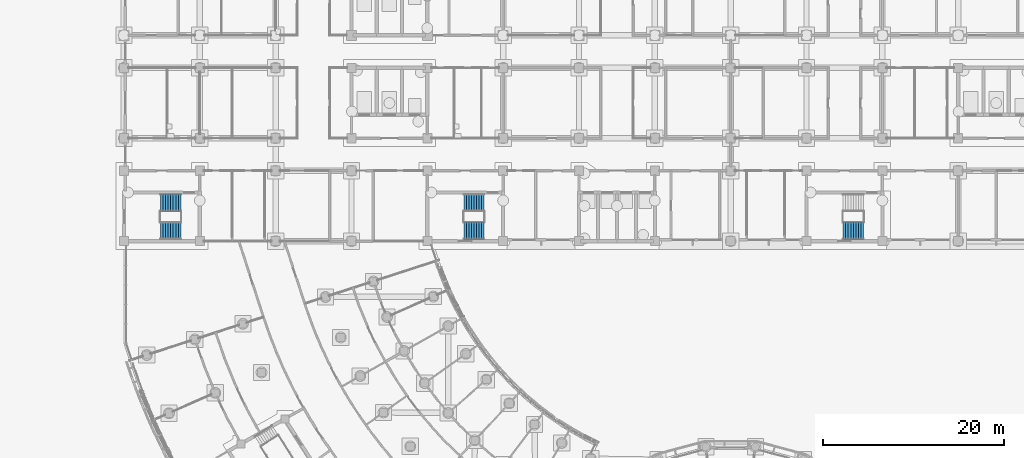
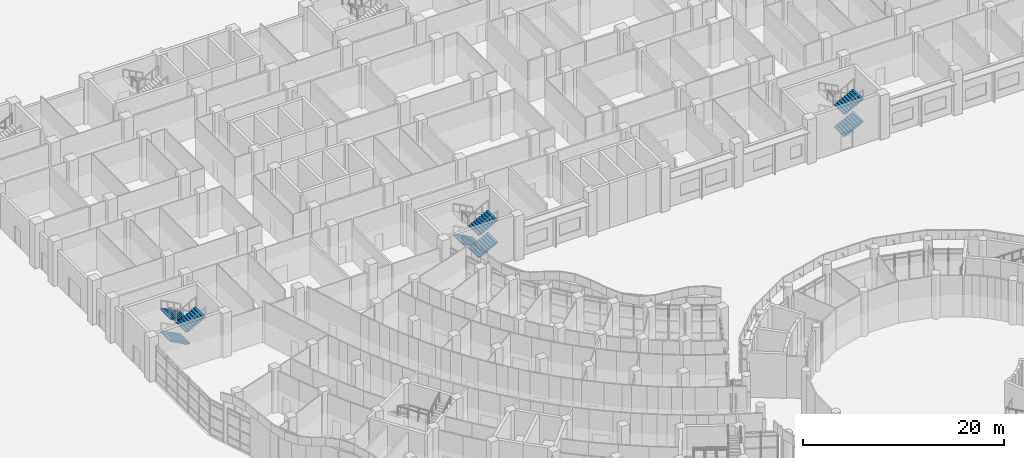
# One storey, part 97 of 146: 8 stair flights, 3 elements without a shape of their own.
"""IFC4 building model written with IfcOpenShell, lengths in metres."""

from ifc_helpers import new_model, si_unit, direction, frame, origin, place, context, subcontext, project, spatial, polyline, outline, extrude, material, type_object, element, aggregate, save


model = new_model("IFC4")

# Units and contexts
model_context = context("Model", 3, precision=1e-05, world=origin(), true_north=direction((0.0, 1.0)))
body_context = subcontext(model_context, "Body", "Model", "MODEL_VIEW")
ifc_project = project(units=[si_unit("LENGTHUNIT", "METRE"), si_unit("AREAUNIT", "SQUARE_METRE"), si_unit("VOLUMEUNIT", "CUBIC_METRE"), si_unit("PLANEANGLEUNIT", "RADIAN"), si_unit("MASSUNIT", "GRAM", prefix="KILO")], contexts=[model_context])

# Site, building, storey
site_placement = place(None, origin())
site = spatial("IfcSite", under=ifc_project, at=site_placement, CompositionType="ELEMENT")
building_placement = place(site_placement, origin())
building = spatial("IfcBuilding", under=site, at=building_placement, Name="Bougainvillea Quay General Hospital", CompositionType="ELEMENT")
storey_placement = place(building_placement, origin())
storey = spatial("IfcBuildingStorey", under=building, at=storey_placement, Name="L00", CompositionType="ELEMENT", Elevation=0.0)

# Stair, stair flights
ifc_material = material(Name="Concrete C35", Category="concrete")
stair_type = type_object("IfcStairType", Name="Stair half-turn 1925 wide", PredefinedType="HALF_TURN_STAIR", material=ifc_material)
stair_1_placement = place(storey_placement, origin())
stair_1 = element("IfcStair", 1, at=stair_1_placement, inside=storey, type_object=stair_type, Name="L00 stair ST-B1", PredefinedType="HALF_TURN_STAIR")
stair_flight_type = type_object("IfcStairFlightType", Name="Stair flight 1925", PredefinedType="STRAIGHT", material=ifc_material)
stair_flight_1_placement = place(storey_placement, frame((48.300048828125, 121.862548828125, 0.0), z_axis=(0.0, 0.0, 1.0), x_axis=(-1.0, 0.0, 0.0)))
stair_flight_1 = element("IfcStairFlight", 2, at=stair_flight_1_placement, type_object=stair_flight_type, Name="ST-B1 flight 1", NumberOfRisers=9, NumberOfTreads=8, PredefinedType="STRAIGHT", RiserHeight=0.15, TreadLength=0.28, context=body_context, shape_type="SweptSolid", body=[
    extrude(outline(polyline([(-0.0029296875, 0.0), (-0.0029296875, 0.003662109375), (-0.0029296875, 0.00732421875), (-0.0029296875, 0.010986328125), (-0.0029296875, 0.0146484375), (-0.0029296875, 0.018310546875), (-0.0029296875, 0.02197265625), (-0.0029296875, 0.025634765625), (-0.0029296875, 0.029296875), (-0.0029296875, 0.032958984375), (-0.0029296875, 0.03662109375), (-0.0029296875, 0.040283203125), (-0.0029296875, 0.0439453125), (-0.0029296875, 0.047607421875), (-0.0029296875, 0.05126953125), (-0.0029296875, 0.054931640625), (-0.0029296875, 0.05859375), (-0.0029296875, 0.062255859375), (-0.0029296875, 0.06591796875), (-0.0029296875, 0.069580078125), (-0.0029296875, 0.0732421875), (-0.0029296875, 0.076904296875), (-0.0029296875, 0.08056640625), (-0.0029296875, 0.084228515625), (-0.0029296875, 0.087890625), (-0.0029296875, 0.091552734375), (-0.0029296875, 0.09521484375), (-0.0029296875, 0.098876953125), (-0.0029296875, 0.1025390625), (-0.0029296875, 0.106201171875), (-0.0029296875, 0.10986328125), (-0.0029296875, 0.113525390625), (-0.0029296875, 0.1171875), (-0.0029296875, 0.120849609375), (-0.0029296875, 0.12451171875), (-0.0029296875, 0.1279296875), (-0.0029296875, 0.131591796875), (-0.0029296875, 0.13525390625), (-0.0029296875, 0.138916015625), (-0.0029296875, 0.142578125), (-0.0029296875, 0.146240234375), (-0.0029296875, 0.14990234375), (0.280029296875, 0.14990234375), (0.280029296875, 0.300048828125), (0.56005859375, 0.300048828125), (0.56005859375, 0.449951171875), (0.840087890625, 0.449951171875), (0.840087890625, 0.60009765625), (1.1201171875, 0.60009765625), (1.1201171875, 0.75), (1.39990234375, 0.75), (1.39990234375, 0.89990234375), (1.679931640625, 0.89990234375), (1.679931640625, 1.050048828125), (1.9599609375, 1.050048828125), (1.9599609375, 1.199951171875), (2.242919921875, 1.199951171875), (2.242919921875, 1.19580078125), (2.242919921875, 1.191650390625), (2.242919921875, 1.1875), (2.242919921875, 1.183349609375), (2.242919921875, 1.17919921875), (2.242919921875, 1.175048828125), (2.242919921875, 1.1708984375), (2.242919921875, 1.166748046875), (2.242919921875, 1.16259765625), (2.242919921875, 1.158447265625), (2.242919921875, 1.154296875), (2.242919921875, 1.150146484375), (2.242919921875, 1.14599609375), (2.242919921875, 1.141845703125), (2.242919921875, 1.1376953125), (2.242919921875, 1.133544921875), (2.242919921875, 1.12939453125), (2.242919921875, 1.125244140625), (2.242919921875, 1.12109375), (2.242919921875, 1.116943359375), (2.242919921875, 1.11279296875), (2.242919921875, 1.108642578125), (2.242919921875, 1.1044921875), (2.242919921875, 1.100341796875), (2.242919921875, 1.09619140625), (2.242919921875, 1.092041015625), (2.242919921875, 1.087890625), (2.242919921875, 1.083984375), (2.242919921875, 1.079833984375), (2.242919921875, 1.07568359375), (2.242919921875, 1.071533203125), (2.242919921875, 1.0673828125), (2.242919921875, 1.063232421875), (2.242919921875, 1.05908203125), (2.242919921875, 1.054931640625), (2.242919921875, 1.05078125), (2.242919921875, 1.046630859375), (2.242919921875, 1.04248046875), (2.242919921875, 1.038330078125), (2.242919921875, 1.0341796875), (2.242919921875, 1.030029296875), (0.3173828125, 0.0), (-0.0029296875, 0.0)])), frame((0.0, 0.96240234375, 0.0), z_axis=(0.0, -1.0, 0.0), x_axis=(1.0, 0.0, 0.0)), (0.0, 0.0, 1.0), 1.925048828125),
])
stair_flight_2_placement = place(storey_placement, frame((48.300048828125, 121.862548828125, 2.699951171875), z_axis=(0.0, 0.0, 1.0), x_axis=(-1.0, 0.0, 0.0)))
stair_flight_2 = element("IfcStairFlight", 3, at=stair_flight_2_placement, type_object=stair_flight_type, Name="ST-B1 flight 3", NumberOfRisers=9, NumberOfTreads=8, PredefinedType="STRAIGHT", RiserHeight=0.15, TreadLength=0.28, context=body_context, shape_type="SweptSolid", body=[
    extrude(outline(polyline([(-0.0029296875, 0.0), (-0.0029296875, 0.003662109375), (-0.0029296875, 0.00732421875), (-0.0029296875, 0.010986328125), (-0.0029296875, 0.0146484375), (-0.0029296875, 0.018310546875), (-0.0029296875, 0.02197265625), (-0.0029296875, 0.025634765625), (-0.0029296875, 0.029296875), (-0.0029296875, 0.032958984375), (-0.0029296875, 0.03662109375), (-0.0029296875, 0.040283203125), (-0.0029296875, 0.0439453125), (-0.0029296875, 0.047607421875), (-0.0029296875, 0.05126953125), (-0.0029296875, 0.054931640625), (-0.0029296875, 0.05859375), (-0.0029296875, 0.062255859375), (-0.0029296875, 0.06591796875), (-0.0029296875, 0.069580078125), (-0.0029296875, 0.0732421875), (-0.0029296875, 0.076904296875), (-0.0029296875, 0.08056640625), (-0.0029296875, 0.084228515625), (-0.0029296875, 0.087890625), (-0.0029296875, 0.091552734375), (-0.0029296875, 0.09521484375), (-0.0029296875, 0.098876953125), (-0.0029296875, 0.1025390625), (-0.0029296875, 0.106201171875), (-0.0029296875, 0.10986328125), (-0.0029296875, 0.113525390625), (-0.0029296875, 0.1171875), (-0.0029296875, 0.120849609375), (-0.0029296875, 0.12451171875), (-0.0029296875, 0.1279296875), (-0.0029296875, 0.131591796875), (-0.0029296875, 0.13525390625), (-0.0029296875, 0.138916015625), (-0.0029296875, 0.142578125), (-0.0029296875, 0.146240234375), (-0.0029296875, 0.14990234375), (0.280029296875, 0.14990234375), (0.280029296875, 0.300048828125), (0.56005859375, 0.300048828125), (0.56005859375, 0.449951171875), (0.840087890625, 0.449951171875), (0.840087890625, 0.60009765625), (1.1201171875, 0.60009765625), (1.1201171875, 0.75), (1.39990234375, 0.75), (1.39990234375, 0.89990234375), (1.679931640625, 0.89990234375), (1.679931640625, 1.050048828125), (1.9599609375, 1.050048828125), (1.9599609375, 1.199951171875), (2.242919921875, 1.199951171875), (2.242919921875, 1.19580078125), (2.242919921875, 1.191650390625), (2.242919921875, 1.1875), (2.242919921875, 1.183349609375), (2.242919921875, 1.17919921875), (2.242919921875, 1.175048828125), (2.242919921875, 1.1708984375), (2.242919921875, 1.166748046875), (2.242919921875, 1.16259765625), (2.242919921875, 1.158447265625), (2.242919921875, 1.154296875), (2.242919921875, 1.150146484375), (2.242919921875, 1.14599609375), (2.242919921875, 1.141845703125), (2.242919921875, 1.1376953125), (2.242919921875, 1.133544921875), (2.242919921875, 1.12939453125), (2.242919921875, 1.125244140625), (2.242919921875, 1.12109375), (2.242919921875, 1.116943359375), (2.242919921875, 1.11279296875), (2.242919921875, 1.108642578125), (2.242919921875, 1.1044921875), (2.242919921875, 1.100341796875), (2.242919921875, 1.09619140625), (2.242919921875, 1.092041015625), (2.242919921875, 1.087890625), (2.242919921875, 1.083984375), (2.242919921875, 1.079833984375), (2.242919921875, 1.07568359375), (2.242919921875, 1.071533203125), (2.242919921875, 1.0673828125), (2.242919921875, 1.063232421875), (2.242919921875, 1.05908203125), (2.242919921875, 1.054931640625), (2.242919921875, 1.05078125), (2.242919921875, 1.046630859375), (2.242919921875, 1.04248046875), (2.242919921875, 1.038330078125), (2.242919921875, 1.0341796875), (2.242919921875, 1.030029296875), (0.3173828125, 0.0), (-0.0029296875, 0.0)])), frame((0.0, 0.96240234375, 0.0), z_axis=(0.0, -1.0, 0.0), x_axis=(1.0, 0.0, 0.0)), (0.0, 0.0, 1.0), 1.925048828125),
])
stair_flight_3_placement = place(storey_placement, frame((46.06005859375, 118.737548828125, 4.050048828125), z_axis=(0.0, 0.0, 1.0), x_axis=(1.0, 0.0, 0.0)))
stair_flight_3 = element("IfcStairFlight", 4, at=stair_flight_3_placement, type_object=stair_flight_type, Name="ST-B1 flight 4", NumberOfRisers=9, NumberOfTreads=8, PredefinedType="STRAIGHT", RiserHeight=0.15, TreadLength=0.28, context=body_context, shape_type="SweptSolid", body=[
    extrude(outline(polyline([(-0.0029296875, 0.0), (-0.0029296875, 0.003662109375), (-0.0029296875, 0.00732421875), (-0.0029296875, 0.010986328125), (-0.0029296875, 0.0146484375), (-0.0029296875, 0.018310546875), (-0.0029296875, 0.02197265625), (-0.0029296875, 0.025634765625), (-0.0029296875, 0.029296875), (-0.0029296875, 0.032958984375), (-0.0029296875, 0.03662109375), (-0.0029296875, 0.040283203125), (-0.0029296875, 0.0439453125), (-0.0029296875, 0.047607421875), (-0.0029296875, 0.05126953125), (-0.0029296875, 0.054931640625), (-0.0029296875, 0.05859375), (-0.0029296875, 0.062255859375), (-0.0029296875, 0.06591796875), (-0.0029296875, 0.069580078125), (-0.0029296875, 0.0732421875), (-0.0029296875, 0.076904296875), (-0.0029296875, 0.08056640625), (-0.0029296875, 0.084228515625), (-0.0029296875, 0.087890625), (-0.0029296875, 0.091552734375), (-0.0029296875, 0.09521484375), (-0.0029296875, 0.098876953125), (-0.0029296875, 0.1025390625), (-0.0029296875, 0.106201171875), (-0.0029296875, 0.10986328125), (-0.0029296875, 0.113525390625), (-0.0029296875, 0.1171875), (-0.0029296875, 0.120849609375), (-0.0029296875, 0.12451171875), (-0.0029296875, 0.1279296875), (-0.0029296875, 0.131591796875), (-0.0029296875, 0.13525390625), (-0.0029296875, 0.138916015625), (-0.0029296875, 0.142578125), (-0.0029296875, 0.146240234375), (-0.0029296875, 0.14990234375), (0.280029296875, 0.14990234375), (0.280029296875, 0.300048828125), (0.56005859375, 0.300048828125), (0.56005859375, 0.449951171875), (0.840087890625, 0.449951171875), (0.840087890625, 0.60009765625), (1.1201171875, 0.60009765625), (1.1201171875, 0.75), (1.39990234375, 0.75), (1.39990234375, 0.89990234375), (1.679931640625, 0.89990234375), (1.679931640625, 1.050048828125), (1.9599609375, 1.050048828125), (1.9599609375, 1.199951171875), (2.242919921875, 1.199951171875), (2.242919921875, 1.19580078125), (2.242919921875, 1.191650390625), (2.242919921875, 1.1875), (2.242919921875, 1.183349609375), (2.242919921875, 1.17919921875), (2.242919921875, 1.175048828125), (2.242919921875, 1.1708984375), (2.242919921875, 1.166748046875), (2.242919921875, 1.16259765625), (2.242919921875, 1.158447265625), (2.242919921875, 1.154296875), (2.242919921875, 1.150146484375), (2.242919921875, 1.14599609375), (2.242919921875, 1.141845703125), (2.242919921875, 1.1376953125), (2.242919921875, 1.133544921875), (2.242919921875, 1.12939453125), (2.242919921875, 1.125244140625), (2.242919921875, 1.12109375), (2.242919921875, 1.116943359375), (2.242919921875, 1.11279296875), (2.242919921875, 1.108642578125), (2.242919921875, 1.1044921875), (2.242919921875, 1.100341796875), (2.242919921875, 1.09619140625), (2.242919921875, 1.092041015625), (2.242919921875, 1.087890625), (2.242919921875, 1.083984375), (2.242919921875, 1.079833984375), (2.242919921875, 1.07568359375), (2.242919921875, 1.071533203125), (2.242919921875, 1.0673828125), (2.242919921875, 1.063232421875), (2.242919921875, 1.05908203125), (2.242919921875, 1.054931640625), (2.242919921875, 1.05078125), (2.242919921875, 1.046630859375), (2.242919921875, 1.04248046875), (2.242919921875, 1.038330078125), (2.242919921875, 1.0341796875), (2.242919921875, 1.030029296875), (0.3173828125, 0.0), (-0.0029296875, 0.0)])), frame((0.0, 0.96240234375, 0.0), z_axis=(0.0, -1.0, 0.0), x_axis=(1.0, 0.0, 0.0)), (0.0, 0.0, 1.0), 1.925048828125),
])
aggregate(stair_1, [stair_flight_1, stair_flight_2, stair_flight_3])

stair_2_placement = place(storey_placement, origin())
stair_2 = element("IfcStair", 5, at=stair_2_placement, inside=storey, type_object=stair_type, Name="L00 stair ST-B2", PredefinedType="HALF_TURN_STAIR")
stair_flight_4_placement = place(storey_placement, frame((81.89990234375, 121.862548828125, 0.0), z_axis=(0.0, 0.0, 1.0), x_axis=(-1.0, 0.0, 0.0)))
stair_flight_4 = element("IfcStairFlight", 6, at=stair_flight_4_placement, type_object=stair_flight_type, Name="ST-B2 flight 1", NumberOfRisers=9, NumberOfTreads=8, PredefinedType="STRAIGHT", RiserHeight=0.15, TreadLength=0.28, context=body_context, shape_type="SweptSolid", body=[
    extrude(outline(polyline([(-0.0029296875, 0.0), (-0.0029296875, 0.003662109375), (-0.0029296875, 0.00732421875), (-0.0029296875, 0.010986328125), (-0.0029296875, 0.0146484375), (-0.0029296875, 0.018310546875), (-0.0029296875, 0.02197265625), (-0.0029296875, 0.025634765625), (-0.0029296875, 0.029296875), (-0.0029296875, 0.032958984375), (-0.0029296875, 0.03662109375), (-0.0029296875, 0.040283203125), (-0.0029296875, 0.0439453125), (-0.0029296875, 0.047607421875), (-0.0029296875, 0.05126953125), (-0.0029296875, 0.054931640625), (-0.0029296875, 0.05859375), (-0.0029296875, 0.062255859375), (-0.0029296875, 0.06591796875), (-0.0029296875, 0.069580078125), (-0.0029296875, 0.0732421875), (-0.0029296875, 0.076904296875), (-0.0029296875, 0.08056640625), (-0.0029296875, 0.084228515625), (-0.0029296875, 0.087890625), (-0.0029296875, 0.091552734375), (-0.0029296875, 0.09521484375), (-0.0029296875, 0.098876953125), (-0.0029296875, 0.1025390625), (-0.0029296875, 0.106201171875), (-0.0029296875, 0.10986328125), (-0.0029296875, 0.113525390625), (-0.0029296875, 0.1171875), (-0.0029296875, 0.120849609375), (-0.0029296875, 0.12451171875), (-0.0029296875, 0.1279296875), (-0.0029296875, 0.131591796875), (-0.0029296875, 0.13525390625), (-0.0029296875, 0.138916015625), (-0.0029296875, 0.142578125), (-0.0029296875, 0.146240234375), (-0.0029296875, 0.14990234375), (0.280029296875, 0.14990234375), (0.280029296875, 0.300048828125), (0.56005859375, 0.300048828125), (0.56005859375, 0.449951171875), (0.840087890625, 0.449951171875), (0.840087890625, 0.60009765625), (1.1201171875, 0.60009765625), (1.1201171875, 0.75), (1.39990234375, 0.75), (1.39990234375, 0.89990234375), (1.679931640625, 0.89990234375), (1.679931640625, 1.050048828125), (1.9599609375, 1.050048828125), (1.9599609375, 1.199951171875), (2.242919921875, 1.199951171875), (2.242919921875, 1.19580078125), (2.242919921875, 1.191650390625), (2.242919921875, 1.1875), (2.242919921875, 1.183349609375), (2.242919921875, 1.17919921875), (2.242919921875, 1.175048828125), (2.242919921875, 1.1708984375), (2.242919921875, 1.166748046875), (2.242919921875, 1.16259765625), (2.242919921875, 1.158447265625), (2.242919921875, 1.154296875), (2.242919921875, 1.150146484375), (2.242919921875, 1.14599609375), (2.242919921875, 1.141845703125), (2.242919921875, 1.1376953125), (2.242919921875, 1.133544921875), (2.242919921875, 1.12939453125), (2.242919921875, 1.125244140625), (2.242919921875, 1.12109375), (2.242919921875, 1.116943359375), (2.242919921875, 1.11279296875), (2.242919921875, 1.108642578125), (2.242919921875, 1.1044921875), (2.242919921875, 1.100341796875), (2.242919921875, 1.09619140625), (2.242919921875, 1.092041015625), (2.242919921875, 1.087890625), (2.242919921875, 1.083984375), (2.242919921875, 1.079833984375), (2.242919921875, 1.07568359375), (2.242919921875, 1.071533203125), (2.242919921875, 1.0673828125), (2.242919921875, 1.063232421875), (2.242919921875, 1.05908203125), (2.242919921875, 1.054931640625), (2.242919921875, 1.05078125), (2.242919921875, 1.046630859375), (2.242919921875, 1.04248046875), (2.242919921875, 1.038330078125), (2.242919921875, 1.0341796875), (2.242919921875, 1.030029296875), (0.3173828125, 0.0), (-0.0029296875, 0.0)])), frame((0.0, 0.96240234375, 0.0), z_axis=(0.0, -1.0, 0.0), x_axis=(1.0, 0.0, 0.0)), (0.0, 0.0, 1.0), 1.925048828125),
])
stair_flight_5_placement = place(storey_placement, frame((79.659912109375, 118.737548828125, 1.35009765625), z_axis=(0.0, 0.0, 1.0), x_axis=(1.0, 0.0, 0.0)))
stair_flight_5 = element("IfcStairFlight", 7, at=stair_flight_5_placement, type_object=stair_flight_type, Name="ST-B2 flight 2", NumberOfRisers=9, NumberOfTreads=8, PredefinedType="STRAIGHT", RiserHeight=0.15, TreadLength=0.28, context=body_context, shape_type="SweptSolid", body=[
    extrude(outline(polyline([(-0.0029296875, 0.0), (-0.0029296875, 0.003662109375), (-0.0029296875, 0.00732421875), (-0.0029296875, 0.010986328125), (-0.0029296875, 0.0146484375), (-0.0029296875, 0.018310546875), (-0.0029296875, 0.02197265625), (-0.0029296875, 0.025634765625), (-0.0029296875, 0.029296875), (-0.0029296875, 0.032958984375), (-0.0029296875, 0.03662109375), (-0.0029296875, 0.040283203125), (-0.0029296875, 0.0439453125), (-0.0029296875, 0.047607421875), (-0.0029296875, 0.05126953125), (-0.0029296875, 0.054931640625), (-0.0029296875, 0.05859375), (-0.0029296875, 0.062255859375), (-0.0029296875, 0.06591796875), (-0.0029296875, 0.069580078125), (-0.0029296875, 0.0732421875), (-0.0029296875, 0.076904296875), (-0.0029296875, 0.08056640625), (-0.0029296875, 0.084228515625), (-0.0029296875, 0.087890625), (-0.0029296875, 0.091552734375), (-0.0029296875, 0.09521484375), (-0.0029296875, 0.098876953125), (-0.0029296875, 0.1025390625), (-0.0029296875, 0.106201171875), (-0.0029296875, 0.10986328125), (-0.0029296875, 0.113525390625), (-0.0029296875, 0.1171875), (-0.0029296875, 0.120849609375), (-0.0029296875, 0.12451171875), (-0.0029296875, 0.1279296875), (-0.0029296875, 0.131591796875), (-0.0029296875, 0.13525390625), (-0.0029296875, 0.138916015625), (-0.0029296875, 0.142578125), (-0.0029296875, 0.146240234375), (-0.0029296875, 0.14990234375), (0.280029296875, 0.14990234375), (0.280029296875, 0.300048828125), (0.56005859375, 0.300048828125), (0.56005859375, 0.449951171875), (0.840087890625, 0.449951171875), (0.840087890625, 0.60009765625), (1.1201171875, 0.60009765625), (1.1201171875, 0.75), (1.39990234375, 0.75), (1.39990234375, 0.89990234375), (1.679931640625, 0.89990234375), (1.679931640625, 1.050048828125), (1.9599609375, 1.050048828125), (1.9599609375, 1.199951171875), (2.242919921875, 1.199951171875), (2.242919921875, 1.19580078125), (2.242919921875, 1.191650390625), (2.242919921875, 1.1875), (2.242919921875, 1.183349609375), (2.242919921875, 1.17919921875), (2.242919921875, 1.175048828125), (2.242919921875, 1.1708984375), (2.242919921875, 1.166748046875), (2.242919921875, 1.16259765625), (2.242919921875, 1.158447265625), (2.242919921875, 1.154296875), (2.242919921875, 1.150146484375), (2.242919921875, 1.14599609375), (2.242919921875, 1.141845703125), (2.242919921875, 1.1376953125), (2.242919921875, 1.133544921875), (2.242919921875, 1.12939453125), (2.242919921875, 1.125244140625), (2.242919921875, 1.12109375), (2.242919921875, 1.116943359375), (2.242919921875, 1.11279296875), (2.242919921875, 1.108642578125), (2.242919921875, 1.1044921875), (2.242919921875, 1.100341796875), (2.242919921875, 1.09619140625), (2.242919921875, 1.092041015625), (2.242919921875, 1.087890625), (2.242919921875, 1.083984375), (2.242919921875, 1.079833984375), (2.242919921875, 1.07568359375), (2.242919921875, 1.071533203125), (2.242919921875, 1.0673828125), (2.242919921875, 1.063232421875), (2.242919921875, 1.05908203125), (2.242919921875, 1.054931640625), (2.242919921875, 1.05078125), (2.242919921875, 1.046630859375), (2.242919921875, 1.04248046875), (2.242919921875, 1.038330078125), (2.242919921875, 1.0341796875), (2.242919921875, 1.030029296875), (0.3173828125, 0.0), (-0.0029296875, 0.0)])), frame((0.0, 0.96240234375, 0.0), z_axis=(0.0, -1.0, 0.0), x_axis=(1.0, 0.0, 0.0)), (0.0, 0.0, 1.0), 1.925048828125),
])
stair_flight_6_placement = place(storey_placement, frame((79.659912109375, 118.737548828125, 4.050048828125), z_axis=(0.0, 0.0, 1.0), x_axis=(1.0, 0.0, 0.0)))
stair_flight_6 = element("IfcStairFlight", 8, at=stair_flight_6_placement, type_object=stair_flight_type, Name="ST-B2 flight 4", NumberOfRisers=9, NumberOfTreads=8, PredefinedType="STRAIGHT", RiserHeight=0.15, TreadLength=0.28, context=body_context, shape_type="SweptSolid", body=[
    extrude(outline(polyline([(-0.0029296875, 0.0), (-0.0029296875, 0.003662109375), (-0.0029296875, 0.00732421875), (-0.0029296875, 0.010986328125), (-0.0029296875, 0.0146484375), (-0.0029296875, 0.018310546875), (-0.0029296875, 0.02197265625), (-0.0029296875, 0.025634765625), (-0.0029296875, 0.029296875), (-0.0029296875, 0.032958984375), (-0.0029296875, 0.03662109375), (-0.0029296875, 0.040283203125), (-0.0029296875, 0.0439453125), (-0.0029296875, 0.047607421875), (-0.0029296875, 0.05126953125), (-0.0029296875, 0.054931640625), (-0.0029296875, 0.05859375), (-0.0029296875, 0.062255859375), (-0.0029296875, 0.06591796875), (-0.0029296875, 0.069580078125), (-0.0029296875, 0.0732421875), (-0.0029296875, 0.076904296875), (-0.0029296875, 0.08056640625), (-0.0029296875, 0.084228515625), (-0.0029296875, 0.087890625), (-0.0029296875, 0.091552734375), (-0.0029296875, 0.09521484375), (-0.0029296875, 0.098876953125), (-0.0029296875, 0.1025390625), (-0.0029296875, 0.106201171875), (-0.0029296875, 0.10986328125), (-0.0029296875, 0.113525390625), (-0.0029296875, 0.1171875), (-0.0029296875, 0.120849609375), (-0.0029296875, 0.12451171875), (-0.0029296875, 0.1279296875), (-0.0029296875, 0.131591796875), (-0.0029296875, 0.13525390625), (-0.0029296875, 0.138916015625), (-0.0029296875, 0.142578125), (-0.0029296875, 0.146240234375), (-0.0029296875, 0.14990234375), (0.280029296875, 0.14990234375), (0.280029296875, 0.300048828125), (0.56005859375, 0.300048828125), (0.56005859375, 0.449951171875), (0.840087890625, 0.449951171875), (0.840087890625, 0.60009765625), (1.1201171875, 0.60009765625), (1.1201171875, 0.75), (1.39990234375, 0.75), (1.39990234375, 0.89990234375), (1.679931640625, 0.89990234375), (1.679931640625, 1.050048828125), (1.9599609375, 1.050048828125), (1.9599609375, 1.199951171875), (2.242919921875, 1.199951171875), (2.242919921875, 1.19580078125), (2.242919921875, 1.191650390625), (2.242919921875, 1.1875), (2.242919921875, 1.183349609375), (2.242919921875, 1.17919921875), (2.242919921875, 1.175048828125), (2.242919921875, 1.1708984375), (2.242919921875, 1.166748046875), (2.242919921875, 1.16259765625), (2.242919921875, 1.158447265625), (2.242919921875, 1.154296875), (2.242919921875, 1.150146484375), (2.242919921875, 1.14599609375), (2.242919921875, 1.141845703125), (2.242919921875, 1.1376953125), (2.242919921875, 1.133544921875), (2.242919921875, 1.12939453125), (2.242919921875, 1.125244140625), (2.242919921875, 1.12109375), (2.242919921875, 1.116943359375), (2.242919921875, 1.11279296875), (2.242919921875, 1.108642578125), (2.242919921875, 1.1044921875), (2.242919921875, 1.100341796875), (2.242919921875, 1.09619140625), (2.242919921875, 1.092041015625), (2.242919921875, 1.087890625), (2.242919921875, 1.083984375), (2.242919921875, 1.079833984375), (2.242919921875, 1.07568359375), (2.242919921875, 1.071533203125), (2.242919921875, 1.0673828125), (2.242919921875, 1.063232421875), (2.242919921875, 1.05908203125), (2.242919921875, 1.054931640625), (2.242919921875, 1.05078125), (2.242919921875, 1.046630859375), (2.242919921875, 1.04248046875), (2.242919921875, 1.038330078125), (2.242919921875, 1.0341796875), (2.242919921875, 1.030029296875), (0.3173828125, 0.0), (-0.0029296875, 0.0)])), frame((0.0, 0.96240234375, 0.0), z_axis=(0.0, -1.0, 0.0), x_axis=(1.0, 0.0, 0.0)), (0.0, 0.0, 1.0), 1.925048828125),
])
aggregate(stair_2, [stair_flight_4, stair_flight_5, stair_flight_6])

stair_3_placement = place(storey_placement, origin())
stair_3 = element("IfcStair", 9, at=stair_3_placement, inside=storey, type_object=stair_type, Name="L00 stair ST-B3", PredefinedType="HALF_TURN_STAIR")
stair_flight_7_placement = place(storey_placement, frame((121.659912109375, 118.737548828125, 1.35009765625), z_axis=(0.0, 0.0, 1.0), x_axis=(1.0, 0.0, 0.0)))
stair_flight_7 = element("IfcStairFlight", 10, at=stair_flight_7_placement, type_object=stair_flight_type, Name="ST-B3 flight 2", NumberOfRisers=9, NumberOfTreads=8, PredefinedType="STRAIGHT", RiserHeight=0.15, TreadLength=0.28, context=body_context, shape_type="SweptSolid", body=[
    extrude(outline(polyline([(-0.0029296875, 0.0), (-0.0029296875, 0.003662109375), (-0.0029296875, 0.00732421875), (-0.0029296875, 0.010986328125), (-0.0029296875, 0.0146484375), (-0.0029296875, 0.018310546875), (-0.0029296875, 0.02197265625), (-0.0029296875, 0.025634765625), (-0.0029296875, 0.029296875), (-0.0029296875, 0.032958984375), (-0.0029296875, 0.03662109375), (-0.0029296875, 0.040283203125), (-0.0029296875, 0.0439453125), (-0.0029296875, 0.047607421875), (-0.0029296875, 0.05126953125), (-0.0029296875, 0.054931640625), (-0.0029296875, 0.05859375), (-0.0029296875, 0.062255859375), (-0.0029296875, 0.06591796875), (-0.0029296875, 0.069580078125), (-0.0029296875, 0.0732421875), (-0.0029296875, 0.076904296875), (-0.0029296875, 0.08056640625), (-0.0029296875, 0.084228515625), (-0.0029296875, 0.087890625), (-0.0029296875, 0.091552734375), (-0.0029296875, 0.09521484375), (-0.0029296875, 0.098876953125), (-0.0029296875, 0.1025390625), (-0.0029296875, 0.106201171875), (-0.0029296875, 0.10986328125), (-0.0029296875, 0.113525390625), (-0.0029296875, 0.1171875), (-0.0029296875, 0.120849609375), (-0.0029296875, 0.12451171875), (-0.0029296875, 0.1279296875), (-0.0029296875, 0.131591796875), (-0.0029296875, 0.13525390625), (-0.0029296875, 0.138916015625), (-0.0029296875, 0.142578125), (-0.0029296875, 0.146240234375), (-0.0029296875, 0.14990234375), (0.280029296875, 0.14990234375), (0.280029296875, 0.300048828125), (0.56005859375, 0.300048828125), (0.56005859375, 0.449951171875), (0.840087890625, 0.449951171875), (0.840087890625, 0.60009765625), (1.1201171875, 0.60009765625), (1.1201171875, 0.75), (1.39990234375, 0.75), (1.39990234375, 0.89990234375), (1.679931640625, 0.89990234375), (1.679931640625, 1.050048828125), (1.9599609375, 1.050048828125), (1.9599609375, 1.199951171875), (2.242919921875, 1.199951171875), (2.242919921875, 1.19580078125), (2.242919921875, 1.191650390625), (2.242919921875, 1.1875), (2.242919921875, 1.183349609375), (2.242919921875, 1.17919921875), (2.242919921875, 1.175048828125), (2.242919921875, 1.1708984375), (2.242919921875, 1.166748046875), (2.242919921875, 1.16259765625), (2.242919921875, 1.158447265625), (2.242919921875, 1.154296875), (2.242919921875, 1.150146484375), (2.242919921875, 1.14599609375), (2.242919921875, 1.141845703125), (2.242919921875, 1.1376953125), (2.242919921875, 1.133544921875), (2.242919921875, 1.12939453125), (2.242919921875, 1.125244140625), (2.242919921875, 1.12109375), (2.242919921875, 1.116943359375), (2.242919921875, 1.11279296875), (2.242919921875, 1.108642578125), (2.242919921875, 1.1044921875), (2.242919921875, 1.100341796875), (2.242919921875, 1.09619140625), (2.242919921875, 1.092041015625), (2.242919921875, 1.087890625), (2.242919921875, 1.083984375), (2.242919921875, 1.079833984375), (2.242919921875, 1.07568359375), (2.242919921875, 1.071533203125), (2.242919921875, 1.0673828125), (2.242919921875, 1.063232421875), (2.242919921875, 1.05908203125), (2.242919921875, 1.054931640625), (2.242919921875, 1.05078125), (2.242919921875, 1.046630859375), (2.242919921875, 1.04248046875), (2.242919921875, 1.038330078125), (2.242919921875, 1.0341796875), (2.242919921875, 1.030029296875), (0.3173828125, 0.0), (-0.0029296875, 0.0)])), frame((0.0, 0.96240234375, 0.0), z_axis=(0.0, -1.0, 0.0), x_axis=(1.0, 0.0, 0.0)), (0.0, 0.0, 1.0), 1.925048828125),
])
stair_flight_8_placement = place(storey_placement, frame((121.659912109375, 118.737548828125, 4.050048828125), z_axis=(0.0, 0.0, 1.0), x_axis=(1.0, 0.0, 0.0)))
stair_flight_8 = element("IfcStairFlight", 11, at=stair_flight_8_placement, type_object=stair_flight_type, Name="ST-B3 flight 4", NumberOfRisers=9, NumberOfTreads=8, PredefinedType="STRAIGHT", RiserHeight=0.15, TreadLength=0.28, context=body_context, shape_type="SweptSolid", body=[
    extrude(outline(polyline([(-0.0029296875, 0.0), (-0.0029296875, 0.003662109375), (-0.0029296875, 0.00732421875), (-0.0029296875, 0.010986328125), (-0.0029296875, 0.0146484375), (-0.0029296875, 0.018310546875), (-0.0029296875, 0.02197265625), (-0.0029296875, 0.025634765625), (-0.0029296875, 0.029296875), (-0.0029296875, 0.032958984375), (-0.0029296875, 0.03662109375), (-0.0029296875, 0.040283203125), (-0.0029296875, 0.0439453125), (-0.0029296875, 0.047607421875), (-0.0029296875, 0.05126953125), (-0.0029296875, 0.054931640625), (-0.0029296875, 0.05859375), (-0.0029296875, 0.062255859375), (-0.0029296875, 0.06591796875), (-0.0029296875, 0.069580078125), (-0.0029296875, 0.0732421875), (-0.0029296875, 0.076904296875), (-0.0029296875, 0.08056640625), (-0.0029296875, 0.084228515625), (-0.0029296875, 0.087890625), (-0.0029296875, 0.091552734375), (-0.0029296875, 0.09521484375), (-0.0029296875, 0.098876953125), (-0.0029296875, 0.1025390625), (-0.0029296875, 0.106201171875), (-0.0029296875, 0.10986328125), (-0.0029296875, 0.113525390625), (-0.0029296875, 0.1171875), (-0.0029296875, 0.120849609375), (-0.0029296875, 0.12451171875), (-0.0029296875, 0.1279296875), (-0.0029296875, 0.131591796875), (-0.0029296875, 0.13525390625), (-0.0029296875, 0.138916015625), (-0.0029296875, 0.142578125), (-0.0029296875, 0.146240234375), (-0.0029296875, 0.14990234375), (0.280029296875, 0.14990234375), (0.280029296875, 0.300048828125), (0.56005859375, 0.300048828125), (0.56005859375, 0.449951171875), (0.840087890625, 0.449951171875), (0.840087890625, 0.60009765625), (1.1201171875, 0.60009765625), (1.1201171875, 0.75), (1.39990234375, 0.75), (1.39990234375, 0.89990234375), (1.679931640625, 0.89990234375), (1.679931640625, 1.050048828125), (1.9599609375, 1.050048828125), (1.9599609375, 1.199951171875), (2.242919921875, 1.199951171875), (2.242919921875, 1.19580078125), (2.242919921875, 1.191650390625), (2.242919921875, 1.1875), (2.242919921875, 1.183349609375), (2.242919921875, 1.17919921875), (2.242919921875, 1.175048828125), (2.242919921875, 1.1708984375), (2.242919921875, 1.166748046875), (2.242919921875, 1.16259765625), (2.242919921875, 1.158447265625), (2.242919921875, 1.154296875), (2.242919921875, 1.150146484375), (2.242919921875, 1.14599609375), (2.242919921875, 1.141845703125), (2.242919921875, 1.1376953125), (2.242919921875, 1.133544921875), (2.242919921875, 1.12939453125), (2.242919921875, 1.125244140625), (2.242919921875, 1.12109375), (2.242919921875, 1.116943359375), (2.242919921875, 1.11279296875), (2.242919921875, 1.108642578125), (2.242919921875, 1.1044921875), (2.242919921875, 1.100341796875), (2.242919921875, 1.09619140625), (2.242919921875, 1.092041015625), (2.242919921875, 1.087890625), (2.242919921875, 1.083984375), (2.242919921875, 1.079833984375), (2.242919921875, 1.07568359375), (2.242919921875, 1.071533203125), (2.242919921875, 1.0673828125), (2.242919921875, 1.063232421875), (2.242919921875, 1.05908203125), (2.242919921875, 1.054931640625), (2.242919921875, 1.05078125), (2.242919921875, 1.046630859375), (2.242919921875, 1.04248046875), (2.242919921875, 1.038330078125), (2.242919921875, 1.0341796875), (2.242919921875, 1.030029296875), (0.3173828125, 0.0), (-0.0029296875, 0.0)])), frame((0.0, 0.96240234375, 0.0), z_axis=(0.0, -1.0, 0.0), x_axis=(1.0, 0.0, 0.0)), (0.0, 0.0, 1.0), 1.925048828125),
])
aggregate(stair_3, [stair_flight_7, stair_flight_8])

save(model, "model.ifc")
